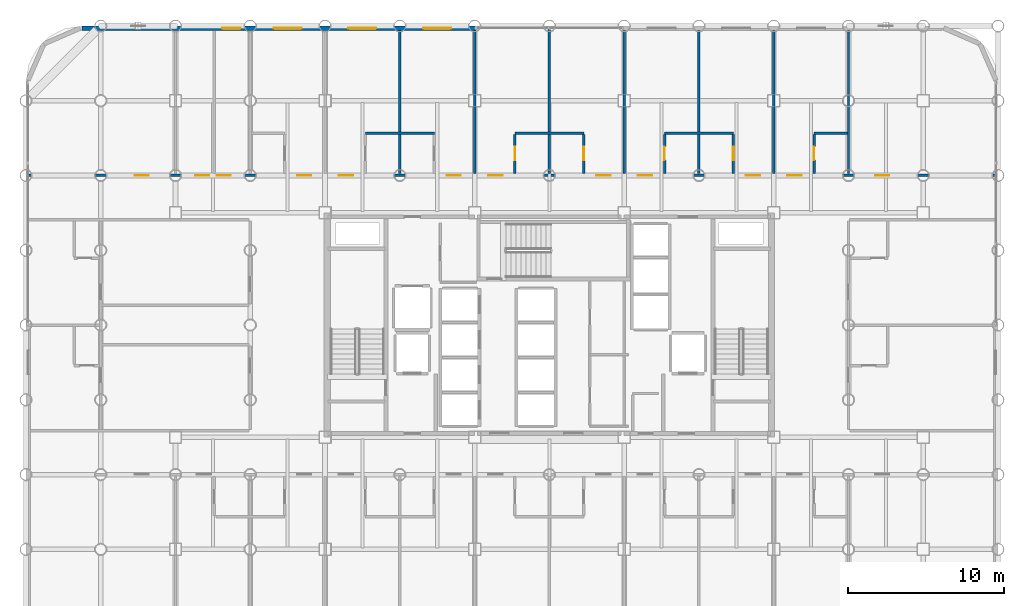
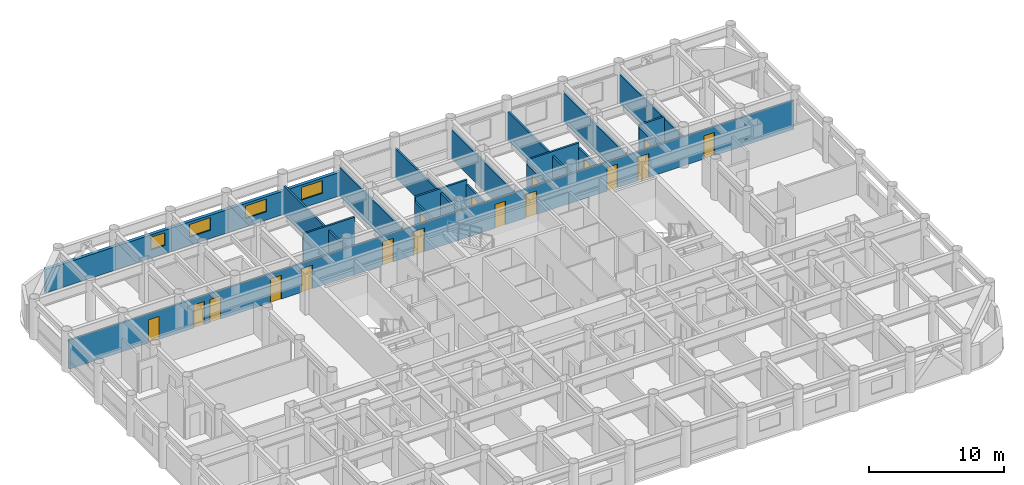
# One storey, part 20 of 22: 18 walls, 17 doors, 4 windows, 21 openings.
"""IFC4 building model written with IfcOpenShell, lengths in metres."""

import ifcopenshell
import ifcopenshell.guid

model = None  # the IFC model being written
_history = None  # IfcOwnerHistory: only IFC2X3 demands one
_inside = {}  # id of a spatial element -> (the spatial element, [elements in it])
_under = {}  # id of a project, library or spatial element -> (it, [spatial elements below it])
_declared = {}  # id of a project -> (the project, [libraries it declares])
_typed = {}  # id of a type object -> (the type object, [elements of that type])
_made_of = {}  # id of a material, layer set ... -> (it, [elements and type objects made of it])


def new_model(schema):
    """Start an empty IFC model of exactly this schema.

    Asked for "IFC4X3", IfcOpenShell would pick the latest addendum, in which some entities
    have other attributes; the version numbers below select the first issue.
    IFC2X3 requires an IfcOwnerHistory on every rooted entity: one is made here for all.
    """
    global model, _history
    if schema == "IFC4X3":
        model = ifcopenshell.file(schema_version=(4, 3, 0, 0))
    else:
        model = ifcopenshell.file(schema=schema)
    _inside.clear()
    _under.clear()
    _declared.clear()
    _typed.clear()
    _made_of.clear()
    _history = None
    if model.schema == "IFC2X3":
        org = make("IfcOrganization", Name="unknown")
        user = make(
            "IfcPersonAndOrganization",
            ThePerson=make("IfcPerson", FamilyName="unknown"),
            TheOrganization=org,
        )
        app = make(
            "IfcApplication",
            ApplicationDeveloper=org,
            Version="unknown",
            ApplicationFullName="unknown",
            ApplicationIdentifier="unknown",
        )
        _history = make(
            "IfcOwnerHistory",
            OwningUser=user,
            OwningApplication=app,
            ChangeAction="ADDED",
            CreationDate=0,
        )
    return model


def make(cls, **values):
    """One entity of the class cls with the attributes given. An attribute that is None is left unset."""
    return model.create_entity(
        cls, **{name: value for name, value in values.items() if value is not None}
    )


def rooted(cls, **values):
    """An entity with a GlobalId (a new one), such as an element, a storey or a relation."""
    return make(cls, GlobalId=ifcopenshell.guid.new(), OwnerHistory=_history, **values)


def si_unit(unit_type, name, prefix=None):
    """IfcSIUnit, for example si_unit("LENGTHUNIT", "METRE", prefix="MILLI")."""
    return make("IfcSIUnit", UnitType=unit_type, Prefix=prefix, Name=name)


def assignment(units):
    """IfcUnitAssignment: the units of a project."""
    return None if units is None else make("IfcUnitAssignment", Units=units)


def point(xyz):
    """IfcCartesianPoint."""
    return None if xyz is None else make("IfcCartesianPoint", Coordinates=xyz)


def direction(xyz):
    """IfcDirection."""
    return None if xyz is None else make("IfcDirection", DirectionRatios=xyz)


def frame(location, z_axis=None, x_axis=None):
    """IfcAxis2Placement3D, a coordinate frame: its origin and axes. An axis left out is left unset."""
    return make(
        "IfcAxis2Placement3D",
        Location=point(location),
        Axis=direction(z_axis),
        RefDirection=direction(x_axis),
    )


def frame_2d(location, x_axis=None):
    """IfcAxis2Placement2D, a coordinate frame in the plane: its origin and x axis."""
    return make(
        "IfcAxis2Placement2D", Location=point(location), RefDirection=direction(x_axis)
    )


def origin():
    """The frame at (0, 0, 0) with its axes left unset."""
    return frame((0.0, 0.0, 0.0))


def place(relative_to, where):
    """IfcLocalPlacement: puts the frame where relative to a parent placement (None: the world)."""
    return make(
        "IfcLocalPlacement", PlacementRelTo=relative_to, RelativePlacement=where
    )


def context(
    kind, dimensions, precision=None, world=None, true_north=None, identifier=None
):
    """IfcGeometricRepresentationContext, for example the 3D "Model" context."""
    return make(
        "IfcGeometricRepresentationContext",
        ContextIdentifier=identifier,
        ContextType=kind,
        CoordinateSpaceDimension=dimensions,
        Precision=precision,
        WorldCoordinateSystem=world,
        TrueNorth=true_north,
    )


def subcontext(parent, identifier, kind, view, scale=None):
    """IfcGeometricRepresentationSubContext, for example "Body" below "Model"."""
    return make(
        "IfcGeometricRepresentationSubContext",
        ContextIdentifier=identifier,
        ContextType=kind,
        ParentContext=parent,
        TargetScale=scale,
        TargetView=view,
    )


def project(units=None, contexts=None):
    """IfcProject with its units and contexts."""
    return rooted(
        "IfcProject",
        Name="project",
        RepresentationContexts=contexts,
        UnitsInContext=assignment(units),
    )


def spatial(cls, under=None, at=None, **own):
    """A site, building, storey or space (cls), placed at a placement, below another one or the project."""
    s = rooted(cls, ObjectPlacement=at, **own)
    if under is not None:
        _under.setdefault(under.id(), (under, []))[1].append(s)
    return s


def profile(cls, at=None, kind="AREA", **sizes):
    """A parametric profile (cls). Its sizes go by their IFC names, for example OverallWidth=200.0."""
    return make(cls, ProfileType=kind, Position=at, **sizes)


def rectangle(**sizes):
    """IfcRectangleProfileDef."""
    return profile("IfcRectangleProfileDef", **sizes)


def extrude(swept, where, along, depth):
    """IfcExtrudedAreaSolid: the profile swept, set in the frame where, extruded along a direction by depth."""
    return make(
        "IfcExtrudedAreaSolid",
        SweptArea=swept,
        Position=where,
        ExtrudedDirection=direction(along),
        Depth=depth,
    )


def shape(context_of_items, identifier, shape_type, items):
    """IfcShapeRepresentation: the items that make up one representation, for example the "Body"."""
    return make(
        "IfcShapeRepresentation",
        ContextOfItems=context_of_items,
        RepresentationIdentifier=identifier,
        RepresentationType=shape_type,
        Items=items,
    )


def material(Name=None, Category=None):
    """IfcMaterial."""
    return make("IfcMaterial", Name=Name, Category=Category)


def layer(
    of_material, thickness, ventilated=None, Name=None, Category=None, Priority=None
):
    """IfcMaterialLayer: one layer of a wall or slab, of a material (None: an air gap)."""
    return make(
        "IfcMaterialLayer",
        Material=of_material,
        LayerThickness=thickness,
        IsVentilated=ventilated,
        Name=Name,
        Category=Category,
        Priority=Priority,
    )


def layer_set(layers, Name=None):
    """IfcMaterialLayerSet."""
    return make("IfcMaterialLayerSet", MaterialLayers=layers, LayerSetName=Name)


def made_of(thing, what):
    """Note that an element or type object is made of a material, layer set ...; save() writes the relation."""
    if what is not None:
        _made_of.setdefault(what.id(), (what, []))[1].append(thing)
    return thing


def type_object(cls, material=None, **own):
    """A type object (cls), such as IfcWallType, which elements share."""
    return made_of(rooted(cls, **own), material)


def element(
    cls,
    number,
    at=None,
    inside=None,
    cuts=None,
    type_object=None,
    material=None,
    context=None,
    identifier="Body",
    shape_type=None,
    held_by="IfcProductDefinitionShape",
    body=None,
    shapes=None,
    **own,
):
    """One element of the class cls, such as IfcWall. Its Tag is "e" and its number.

    at: its placement. inside: the storey or other place that contains it. cuts: it is an
    opening in that element (IfcRelVoidsElement). A single representation is given by context,
    identifier, shape_type and body (its items); several are given by shapes. held_by: the class
    of the entity that holds the representations. save() writes the other relations.
    """
    e = rooted(cls, Tag="e%d" % number, ObjectPlacement=at, **own)
    if body is not None:
        shapes = [shape(context, identifier, shape_type, body)]
    if shapes is not None:
        e.Representation = make(held_by, Representations=shapes)
    if inside is not None:
        _inside.setdefault(inside.id(), (inside, []))[1].append(e)
    if cuts is not None:
        rooted(
            "IfcRelVoidsElement", RelatingBuildingElement=cuts, RelatedOpeningElement=e
        )
    if type_object is not None:
        _typed.setdefault(type_object.id(), (type_object, []))[1].append(e)
    return made_of(e, material)


def fill(opening, filler):
    """IfcRelFillsElement: the door or window that sits in an opening."""
    return rooted(
        "IfcRelFillsElement",
        RelatingOpeningElement=opening,
        RelatedBuildingElement=filler,
    )


def aggregate(whole, parts):
    """IfcRelAggregates: a whole, such as a stair, and the parts it consists of."""
    return rooted("IfcRelAggregates", RelatingObject=whole, RelatedObjects=parts)


def save(model, path):
    """Write the relations noted so far, then the file.

    IfcRelAggregates (storeys below a building ...), IfcRelContainedInSpatialStructure (elements
    in a storey), IfcRelDefinesByType, IfcRelAssociatesMaterial and IfcRelDeclares: one each for
    every whole, place, type object, material and project.
    """
    for whole, parts in _under.values():
        aggregate(whole, parts)
    for where, things in _inside.values():
        rooted(
            "IfcRelContainedInSpatialStructure",
            RelatedElements=things,
            RelatingStructure=where,
        )
    for kind, things in _typed.values():
        rooted("IfcRelDefinesByType", RelatedObjects=things, RelatingType=kind)
    for what, things in _made_of.values():
        rooted("IfcRelAssociatesMaterial", RelatedObjects=things, RelatingMaterial=what)
    for by, libraries in _declared.values():
        rooted("IfcRelDeclares", RelatingContext=by, RelatedDefinitions=libraries)
    model.write(path)


model = new_model("IFC4")

# Units and contexts
model_context = context("Model", 3, precision=1e-05, world=origin(), true_north=direction((0.0, 1.0)))
body_context = subcontext(model_context, "Body", "Model", "MODEL_VIEW")
ifc_project = project(units=[si_unit("LENGTHUNIT", "METRE"), si_unit("AREAUNIT", "SQUARE_METRE"), si_unit("VOLUMEUNIT", "CUBIC_METRE"), si_unit("PLANEANGLEUNIT", "RADIAN"), si_unit("MASSUNIT", "GRAM", prefix="KILO")], contexts=[model_context])

# Site, building, storey
site_placement = place(None, origin())
site = spatial("IfcSite", under=ifc_project, at=site_placement, CompositionType="ELEMENT")
building_placement = place(site_placement, origin())
building = spatial("IfcBuilding", under=site, at=building_placement, Name="Kallvorn Hotel Tower", CompositionType="ELEMENT")
storey_placement = place(building_placement, frame((0.0, 0.0, 37.39990234375)))
storey = spatial("IfcBuildingStorey", under=building, at=storey_placement, Name="L07", CompositionType="ELEMENT", Elevation=37.39990234375)

# Wall, openings, doors
ifc_material_1 = material(Name="Fire-rated double-layer acoustic gypsum drywall EI 60")
ifc_layer_1 = layer(ifc_material_1, 0.159912109375)
ifc_layer_set_1 = layer_set([ifc_layer_1], Name="WL_DEMISE_160")
wall_type_1 = type_object("IfcWallType", Name="WL_DEMISE_160", PredefinedType="PARTITIONING", material=ifc_layer_set_1)
wall_1_placement = place(storey_placement, frame((-33.429931640625, 9.60009765625, 0.0), z_axis=(0.0, 0.0, 1.0), x_axis=(1.0, 0.0, 0.0)))
wall_1 = element("IfcWall", 1, at=wall_1_placement, inside=storey, type_object=wall_type_1, Name="L07 Suite 714 Standard Twin Room Partition", PredefinedType="PARTITIONING", context=body_context, shape_type="SweptSolid", body=[
    extrude(rectangle(XDim=62.059814453125, YDim=0.159912109375, at=frame_2d((31.02978515625, 0.0))), origin(), (0.0, 0.0, 1.0), 2.6201171875),
])
opening_1_placement = place(wall_1_placement, frame((6.799560546875, 0.0, 0.0)))
opening_1 = element("IfcOpeningElement", 2, at=opening_1_placement, cuts=wall_1, Name="Opening SVD1", PredefinedType="OPENING", context=body_context, shape_type="SweptSolid", body=[
    extrude(rectangle(XDim=0.89990234375, YDim=2.10009765625, at=frame_2d((0.449951171875, 1.050048828125))), frame((0.0, 0.094970703125, 0.0), z_axis=(0.0, -1.0, 0.0), x_axis=(1.0, 0.0, 0.0)), (0.0, 0.0, 1.0), 0.18994140625),
])
opening_2_placement = place(wall_1_placement, frame((54.360595703125, 0.0, 0.0)))
opening_2 = element("IfcOpeningElement", 3, at=opening_2_placement, cuts=wall_1, Name="Opening SVD1", PredefinedType="OPENING", context=body_context, shape_type="SweptSolid", body=[
    extrude(rectangle(XDim=0.89990234375, YDim=2.10009765625, at=frame_2d((0.449951171875, 1.050048828125))), frame((0.0, 0.094970703125, 0.0), z_axis=(0.0, -1.0, 0.0), x_axis=(1.0, 0.0, 0.0)), (0.0, 0.0, 1.0), 0.18994140625),
])
opening_3_placement = place(wall_1_placement, frame((10.68994140625, 0.0, 0.0)))
opening_3 = element("IfcOpeningElement", 4, at=opening_3_placement, cuts=wall_1, Name="Opening SVD1", PredefinedType="OPENING", context=body_context, shape_type="SweptSolid", body=[
    extrude(rectangle(XDim=0.89990234375, YDim=2.10009765625, at=frame_2d((0.449951171875, 1.050048828125))), frame((0.0, 0.094970703125, 0.0), z_axis=(0.0, -1.0, 0.0), x_axis=(1.0, 0.0, 0.0)), (0.0, 0.0, 1.0), 0.18994140625),
])
opening_4_placement = place(wall_1_placement, frame((12.070068359375, 0.0, 0.0)))
opening_4 = element("IfcOpeningElement", 5, at=opening_4_placement, cuts=wall_1, Name="Opening SVD1", PredefinedType="OPENING", context=body_context, shape_type="SweptSolid", body=[
    extrude(rectangle(XDim=0.89990234375, YDim=2.10009765625, at=frame_2d((0.449951171875, 1.050048828125))), frame((0.0, 0.094970703125, 0.0), z_axis=(0.0, -1.0, 0.0), x_axis=(1.0, 0.0, 0.0)), (0.0, 0.0, 1.0), 0.18994140625),
])
opening_5_placement = place(wall_1_placement, frame((17.235107421875, 0.0, 0.0)))
opening_5 = element("IfcOpeningElement", 6, at=opening_5_placement, cuts=wall_1, Name="Opening GD1", PredefinedType="OPENING", context=body_context, shape_type="SweptSolid", body=[
    extrude(rectangle(XDim=0.919921875, YDim=2.14990234375, at=frame_2d((0.4599609375, 1.074951171875))), frame((0.0, 0.094970703125, 0.0), z_axis=(0.0, -1.0, 0.0), x_axis=(1.0, 0.0, 0.0)), (0.0, 0.0, 1.0), 0.18994140625),
])
opening_6_placement = place(wall_1_placement, frame((19.905029296875, 0.0, 0.0)))
opening_6 = element("IfcOpeningElement", 7, at=opening_6_placement, cuts=wall_1, Name="Opening GD1", PredefinedType="OPENING", context=body_context, shape_type="SweptSolid", body=[
    extrude(rectangle(XDim=0.919921875, YDim=2.14990234375, at=frame_2d((0.4599609375, 1.074951171875))), frame((0.0, 0.094970703125, 0.0), z_axis=(0.0, -1.0, 0.0), x_axis=(1.0, 0.0, 0.0)), (0.0, 0.0, 1.0), 0.18994140625),
])
opening_7_placement = place(wall_1_placement, frame((26.8349609375, 0.0, 0.0)))
opening_7 = element("IfcOpeningElement", 8, at=opening_7_placement, cuts=wall_1, Name="Opening GD1", PredefinedType="OPENING", context=body_context, shape_type="SweptSolid", body=[
    extrude(rectangle(XDim=0.919921875, YDim=2.14990234375, at=frame_2d((0.4599609375, 1.074951171875))), frame((0.0, 0.094970703125, 0.0), z_axis=(0.0, -1.0, 0.0), x_axis=(1.0, 0.0, 0.0)), (0.0, 0.0, 1.0), 0.18994140625),
])
opening_8_placement = place(wall_1_placement, frame((29.5048828125, 0.0, 0.0)))
opening_8 = element("IfcOpeningElement", 9, at=opening_8_placement, cuts=wall_1, Name="Opening GD1", PredefinedType="OPENING", context=body_context, shape_type="SweptSolid", body=[
    extrude(rectangle(XDim=0.919921875, YDim=2.14990234375, at=frame_2d((0.4599609375, 1.074951171875))), frame((0.0, 0.094970703125, 0.0), z_axis=(0.0, -1.0, 0.0), x_axis=(1.0, 0.0, 0.0)), (0.0, 0.0, 1.0), 0.18994140625),
])
opening_9_placement = place(wall_1_placement, frame((36.43505859375, 0.0, 0.0)))
opening_9 = element("IfcOpeningElement", 10, at=opening_9_placement, cuts=wall_1, Name="Opening GD1", PredefinedType="OPENING", context=body_context, shape_type="SweptSolid", body=[
    extrude(rectangle(XDim=0.919921875, YDim=2.14990234375, at=frame_2d((0.4599609375, 1.074951171875))), frame((0.0, 0.094970703125, 0.0), z_axis=(0.0, -1.0, 0.0), x_axis=(1.0, 0.0, 0.0)), (0.0, 0.0, 1.0), 0.18994140625),
])
opening_10_placement = place(wall_1_placement, frame((39.10498046875, 0.0, 0.0)))
opening_10 = element("IfcOpeningElement", 11, at=opening_10_placement, cuts=wall_1, Name="Opening GD1", PredefinedType="OPENING", context=body_context, shape_type="SweptSolid", body=[
    extrude(rectangle(XDim=0.919921875, YDim=2.14990234375, at=frame_2d((0.4599609375, 1.074951171875))), frame((0.0, 0.094970703125, 0.0), z_axis=(0.0, -1.0, 0.0), x_axis=(1.0, 0.0, 0.0)), (0.0, 0.0, 1.0), 0.18994140625),
])
opening_11_placement = place(wall_1_placement, frame((46.034912109375, 0.0, 0.0)))
opening_11 = element("IfcOpeningElement", 12, at=opening_11_placement, cuts=wall_1, Name="Opening GD1", PredefinedType="OPENING", context=body_context, shape_type="SweptSolid", body=[
    extrude(rectangle(XDim=0.919921875, YDim=2.14990234375, at=frame_2d((0.4599609375, 1.074951171875))), frame((0.0, 0.094970703125, 0.0), z_axis=(0.0, -1.0, 0.0), x_axis=(1.0, 0.0, 0.0)), (0.0, 0.0, 1.0), 0.18994140625),
])
opening_12_placement = place(wall_1_placement, frame((48.705078125, 0.0, 0.0)))
opening_12 = element("IfcOpeningElement", 13, at=opening_12_placement, cuts=wall_1, Name="Opening GD1", PredefinedType="OPENING", context=body_context, shape_type="SweptSolid", body=[
    extrude(rectangle(XDim=0.919921875, YDim=2.14990234375, at=frame_2d((0.4599609375, 1.074951171875))), frame((0.0, 0.094970703125, 0.0), z_axis=(0.0, -1.0, 0.0), x_axis=(1.0, 0.0, 0.0)), (0.0, 0.0, 1.0), 0.18994140625),
])
ifc_material_2 = material(Name="Solid-core walnut veneer fire-rated timber door leaf", Category="wood")
door_type_1 = type_object("IfcDoorType", Name="DR_GUEST_920x2150", OperationType="NOTDEFINED", PredefinedType="DOOR", material=ifc_material_2)
door_1_placement = place(opening_5_placement, origin())
door_1 = element("IfcDoor", 14, at=door_1_placement, inside=storey, type_object=door_type_1, Name="L07 Suite 714 Standard Twin Room Door", OperationType="SINGLE_SWING_RIGHT", OverallHeight=2.14990234375, OverallWidth=0.919921875, PredefinedType="DOOR", context=body_context, shape_type="SweptSolid", body=[
    extrude(rectangle(XDim=0.919921875, YDim=2.14990234375, at=frame_2d((0.4599609375, 1.074951171875))), frame((0.0, 0.02490234375, 0.0), z_axis=(0.0, -1.0, 0.0), x_axis=(1.0, 0.0, 0.0)), (0.0, 0.0, 1.0), 0.050048828125),
])
fill(opening_5, door_1)
door_2_placement = place(opening_6_placement, origin())
door_2 = element("IfcDoor", 15, at=door_2_placement, inside=storey, type_object=door_type_1, Name="L07 Suite 715 Standard Twin Room Door", OperationType="SINGLE_SWING_LEFT", OverallHeight=2.14990234375, OverallWidth=0.919921875, PredefinedType="DOOR", context=body_context, shape_type="SweptSolid", body=[
    extrude(rectangle(XDim=0.919921875, YDim=2.14990234375, at=frame_2d((0.4599609375, 1.074951171875))), frame((0.0, 0.02490234375, 0.0), z_axis=(0.0, -1.0, 0.0), x_axis=(1.0, 0.0, 0.0)), (0.0, 0.0, 1.0), 0.050048828125),
])
fill(opening_6, door_2)
door_3_placement = place(opening_7_placement, origin())
door_3 = element("IfcDoor", 16, at=door_3_placement, inside=storey, type_object=door_type_1, Name="L07 Suite 716 Standard Twin Room Door", OperationType="SINGLE_SWING_LEFT", OverallHeight=2.14990234375, OverallWidth=0.919921875, PredefinedType="DOOR", context=body_context, shape_type="SweptSolid", body=[
    extrude(rectangle(XDim=0.919921875, YDim=2.14990234375, at=frame_2d((0.4599609375, 1.074951171875))), frame((0.0, 0.02490234375, 0.0), z_axis=(0.0, -1.0, 0.0), x_axis=(1.0, 0.0, 0.0)), (0.0, 0.0, 1.0), 0.050048828125),
])
fill(opening_7, door_3)
door_4_placement = place(opening_8_placement, origin())
door_4 = element("IfcDoor", 17, at=door_4_placement, inside=storey, type_object=door_type_1, Name="L07 Suite 717 Standard Twin Room Door", OperationType="SINGLE_SWING_LEFT", OverallHeight=2.14990234375, OverallWidth=0.919921875, PredefinedType="DOOR", context=body_context, shape_type="SweptSolid", body=[
    extrude(rectangle(XDim=0.919921875, YDim=2.14990234375, at=frame_2d((0.4599609375, 1.074951171875))), frame((0.0, 0.02490234375, 0.0), z_axis=(0.0, -1.0, 0.0), x_axis=(1.0, 0.0, 0.0)), (0.0, 0.0, 1.0), 0.050048828125),
])
fill(opening_8, door_4)
door_5_placement = place(opening_9_placement, origin())
door_5 = element("IfcDoor", 18, at=door_5_placement, inside=storey, type_object=door_type_1, Name="L07 Suite 718 Standard Twin Room Door", OperationType="SINGLE_SWING_LEFT", OverallHeight=2.14990234375, OverallWidth=0.919921875, PredefinedType="DOOR", context=body_context, shape_type="SweptSolid", body=[
    extrude(rectangle(XDim=0.919921875, YDim=2.14990234375, at=frame_2d((0.4599609375, 1.074951171875))), frame((0.0, 0.02490234375, 0.0), z_axis=(0.0, -1.0, 0.0), x_axis=(1.0, 0.0, 0.0)), (0.0, 0.0, 1.0), 0.050048828125),
])
fill(opening_9, door_5)
door_6_placement = place(opening_10_placement, origin())
door_6 = element("IfcDoor", 19, at=door_6_placement, inside=storey, type_object=door_type_1, Name="L07 Suite 719 Standard Twin Room Door", OperationType="SINGLE_SWING_RIGHT", OverallHeight=2.14990234375, OverallWidth=0.919921875, PredefinedType="DOOR", context=body_context, shape_type="SweptSolid", body=[
    extrude(rectangle(XDim=0.919921875, YDim=2.14990234375, at=frame_2d((0.4599609375, 1.074951171875))), frame((0.0, 0.02490234375, 0.0), z_axis=(0.0, -1.0, 0.0), x_axis=(1.0, 0.0, 0.0)), (0.0, 0.0, 1.0), 0.050048828125),
])
fill(opening_10, door_6)
door_7_placement = place(opening_11_placement, origin())
door_7 = element("IfcDoor", 20, at=door_7_placement, inside=storey, type_object=door_type_1, Name="L07 Suite 720 Standard Twin Room Door", OperationType="SINGLE_SWING_RIGHT", OverallHeight=2.14990234375, OverallWidth=0.919921875, PredefinedType="DOOR", context=body_context, shape_type="SweptSolid", body=[
    extrude(rectangle(XDim=0.919921875, YDim=2.14990234375, at=frame_2d((0.4599609375, 1.074951171875))), frame((0.0, 0.02490234375, 0.0), z_axis=(0.0, -1.0, 0.0), x_axis=(1.0, 0.0, 0.0)), (0.0, 0.0, 1.0), 0.050048828125),
])
fill(opening_11, door_7)
door_8_placement = place(opening_12_placement, origin())
door_8 = element("IfcDoor", 21, at=door_8_placement, inside=storey, type_object=door_type_1, Name="L07 Suite 721 Standard Twin Room Door", OperationType="SINGLE_SWING_RIGHT", OverallHeight=2.14990234375, OverallWidth=0.919921875, PredefinedType="DOOR", context=body_context, shape_type="SweptSolid", body=[
    extrude(rectangle(XDim=0.919921875, YDim=2.14990234375, at=frame_2d((0.4599609375, 1.074951171875))), frame((0.0, 0.02490234375, 0.0), z_axis=(0.0, -1.0, 0.0), x_axis=(1.0, 0.0, 0.0)), (0.0, 0.0, 1.0), 0.050048828125),
])
fill(opening_12, door_8)
ifc_material_3 = material(Name="Galvanised painted steel fire-rated door assembly", Category="steel")
door_type_2 = type_object("IfcDoorType", Name="DR_SERV_900x2100", OperationType="NOTDEFINED", PredefinedType="DOOR", material=ifc_material_3)
door_9_placement = place(opening_1_placement, origin())
door_9 = element("IfcDoor", 22, at=door_9_placement, inside=storey, type_object=door_type_2, Name="L07 L07 North-West Fitness Gymnasium Door", OperationType="SINGLE_SWING_RIGHT", OverallHeight=2.10009765625, OverallWidth=0.89990234375, PredefinedType="DOOR", context=body_context, shape_type="SweptSolid", body=[
    extrude(rectangle(XDim=0.89990234375, YDim=2.10009765625, at=frame_2d((0.449951171875, 1.050048828125))), frame((0.0, 0.02490234375, 0.0), z_axis=(0.0, -1.0, 0.0), x_axis=(1.0, 0.0, 0.0)), (0.0, 0.0, 1.0), 0.050048828125),
])
fill(opening_1, door_9)
door_10_placement = place(opening_2_placement, origin())
door_10 = element("IfcDoor", 23, at=door_10_placement, inside=storey, type_object=door_type_2, Name="L07 L07 North-East Reading Club Door", OperationType="SINGLE_SWING_LEFT", OverallHeight=2.10009765625, OverallWidth=0.89990234375, PredefinedType="DOOR", context=body_context, shape_type="SweptSolid", body=[
    extrude(rectangle(XDim=0.89990234375, YDim=2.10009765625, at=frame_2d((0.449951171875, 1.050048828125))), frame((0.0, 0.02490234375, 0.0), z_axis=(0.0, -1.0, 0.0), x_axis=(1.0, 0.0, 0.0)), (0.0, 0.0, 1.0), 0.050048828125),
])
fill(opening_2, door_10)
door_11_placement = place(opening_3_placement, origin())
door_11 = element("IfcDoor", 24, at=door_11_placement, inside=storey, type_object=door_type_2, Name="L07 Housekeeping and Linen Room Door", OperationType="SINGLE_SWING_LEFT", OverallHeight=2.10009765625, OverallWidth=0.89990234375, PredefinedType="DOOR", context=body_context, shape_type="SweptSolid", body=[
    extrude(rectangle(XDim=0.89990234375, YDim=2.10009765625, at=frame_2d((0.449951171875, 1.050048828125))), frame((0.0, 0.02490234375, 0.0), z_axis=(0.0, -1.0, 0.0), x_axis=(1.0, 0.0, 0.0)), (0.0, 0.0, 1.0), 0.050048828125),
])
fill(opening_3, door_11)
door_12_placement = place(opening_4_placement, origin())
door_12 = element("IfcDoor", 25, at=door_12_placement, inside=storey, type_object=door_type_2, Name="L07 Guest Tea and Refreshment Bar Door", OperationType="SINGLE_SWING_LEFT", OverallHeight=2.10009765625, OverallWidth=0.89990234375, PredefinedType="DOOR", context=body_context, shape_type="SweptSolid", body=[
    extrude(rectangle(XDim=0.89990234375, YDim=2.10009765625, at=frame_2d((0.449951171875, 1.050048828125))), frame((0.0, 0.02490234375, 0.0), z_axis=(0.0, -1.0, 0.0), x_axis=(1.0, 0.0, 0.0)), (0.0, 0.0, 1.0), 0.050048828125),
])
fill(opening_4, door_12)

# Walls
wall_2_placement = place(storey_placement, frame((-11.81005859375, 12.320068359375, 0.0), z_axis=(0.0, 0.0, 1.0), x_axis=(1.0, 0.0, 0.0)))
element("IfcWall", 26, at=wall_2_placement, inside=storey, type_object=wall_type_1, Name="L07 Suite 715 Standard Twin Room Partition", PredefinedType="PARTITIONING", context=body_context, shape_type="SweptSolid", body=[
    extrude(rectangle(XDim=4.420166015625, YDim=0.159912109375, at=frame_2d((2.2099609375, 0.0))), origin(), (0.0, 0.0, 1.0), 3.02001953125),
])
wall_3_placement = place(storey_placement, frame((-2.2099609375, 12.320068359375, 0.0), z_axis=(0.0, 0.0, 1.0), x_axis=(1.0, 0.0, 0.0)))
element("IfcWall", 27, at=wall_3_placement, inside=storey, type_object=wall_type_1, Name="L07 Suite 717 Standard Twin Room Partition", PredefinedType="PARTITIONING", context=body_context, shape_type="SweptSolid", body=[
    extrude(rectangle(XDim=4.419921875, YDim=0.159912109375, at=frame_2d((2.2099609375, 0.0))), origin(), (0.0, 0.0, 1.0), 3.02001953125),
])
wall_4_placement = place(storey_placement, frame((7.389892578125, 12.320068359375, 0.0), z_axis=(0.0, 0.0, 1.0), x_axis=(1.0, 0.0, 0.0)))
element("IfcWall", 28, at=wall_4_placement, inside=storey, type_object=wall_type_1, Name="L07 Suite 719 Standard Twin Room Partition", PredefinedType="PARTITIONING", context=body_context, shape_type="SweptSolid", body=[
    extrude(rectangle(XDim=4.420166015625, YDim=0.159912109375, at=frame_2d((2.2099609375, 0.0))), origin(), (0.0, 0.0, 1.0), 3.02001953125),
])
wall_5_placement = place(storey_placement, frame((16.989990234375, 12.320068359375, 0.0), z_axis=(0.0, 0.0, 1.0), x_axis=(1.0, 0.0, 0.0)))
element("IfcWall", 29, at=wall_5_placement, inside=storey, type_object=wall_type_1, Name="L07 Suite 721 Standard Twin Room Partition", PredefinedType="PARTITIONING", context=body_context, shape_type="SweptSolid", body=[
    extrude(rectangle(XDim=2.130126953125, YDim=0.159912109375, at=frame_2d((1.06494140625, 0.0))), origin(), (0.0, 0.0, 1.0), 2.820068359375),
])
for number, where, z_axis, x_axis, name in (
    (30, (-9.60009765625, 9.719970703125, 0.0), (0.0, 0.0, 1.0), (0.0, 1.0, 0.0), "L07 Suite 715 Standard Twin Room Partition"),
    (31, (-4.800048828125, 9.719970703125, 0.0), (0.0, 0.0, 1.0), (0.0, 1.0, 0.0), "L07 Suite 716 Standard Twin Room Partition"),
):
    element("IfcWall", number, at=place(storey_placement, frame(where, z_axis=z_axis, x_axis=x_axis)), inside=storey, type_object=wall_type_1, Name=name, PredefinedType="PARTITIONING", context=body_context, shape_type="SweptSolid", body=[
        extrude(rectangle(XDim=9.18994140625, YDim=0.159912109375, at=frame_2d((4.594970703125, 0.0))), origin(), (0.0, 0.0, 1.0), 2.6201171875),
    ])

# Wall, opening, door
wall_6_placement = place(storey_placement, frame((-2.2099609375, 9.719970703125, 0.0), z_axis=(0.0, 0.0, 1.0), x_axis=(0.0, 1.0, 0.0)))
wall_6 = element("IfcWall", 32, at=wall_6_placement, inside=storey, type_object=wall_type_1, Name="L07 Suite 717 Standard Twin Room Partition", PredefinedType="PARTITIONING", context=body_context, shape_type="SweptSolid", body=[
    extrude(rectangle(XDim=2.51513671875, YDim=0.159912109375, at=frame_2d((1.257568359375, 0.0))), origin(), (0.0, 0.0, 1.0), 2.6201171875),
])
opening_13_placement = place(wall_6_placement, frame((0.8701171875, 0.0, 0.0)))
opening_13 = element("IfcOpeningElement", 33, at=opening_13_placement, cuts=wall_6, Name="Opening BD-I", PredefinedType="OPENING", context=body_context, shape_type="SweptSolid", body=[
    extrude(rectangle(XDim=0.860107421875, YDim=2.10009765625, at=frame_2d((0.43017578125, 1.050048828125))), frame((0.0, 0.094970703125, 0.0), z_axis=(0.0, -1.0, 0.0), x_axis=(1.0, 0.0, 0.0)), (0.0, 0.0, 1.0), 0.18994140625),
])
ifc_material_4 = material(Name="Solid-core walnut veneer fire-rated timber door leaf", Category="wood")
door_type_3 = type_object("IfcDoorType", Name="DR_BATH_860x2100", OperationType="NOTDEFINED", PredefinedType="DOOR", material=ifc_material_4)
door_13_placement = place(opening_13_placement, origin())
door_13 = element("IfcDoor", 34, at=door_13_placement, inside=storey, type_object=door_type_3, Name="L07 Suite 717 En-Suite Bathroom Door", OperationType="SINGLE_SWING_LEFT", OverallHeight=2.10009765625, OverallWidth=0.860107421875, PredefinedType="DOOR", context=body_context, shape_type="SweptSolid", body=[
    extrude(rectangle(XDim=0.860107421875, YDim=2.10009765625, at=frame_2d((0.43017578125, 1.050048828125))), frame((0.0, 0.02490234375, 0.0), z_axis=(0.0, -1.0, 0.0), x_axis=(1.0, 0.0, 0.0)), (0.0, 0.0, 1.0), 0.050048828125),
])
fill(opening_13, door_13)

# Wall
wall_7_placement = place(storey_placement, frame((0.0, 9.719970703125, 0.0), z_axis=(0.0, 0.0, 1.0), x_axis=(0.0, 1.0, 0.0)))
element("IfcWall", 35, at=wall_7_placement, inside=storey, type_object=wall_type_1, Name="L07 Suite 717 Standard Twin Room Partition", PredefinedType="PARTITIONING", context=body_context, shape_type="SweptSolid", body=[
    extrude(rectangle(XDim=9.275146484375, YDim=0.159912109375, at=frame_2d((4.6376953125, 0.0))), origin(), (0.0, 0.0, 1.0), 2.6201171875),
])

# Wall, opening, door
wall_8_placement = place(storey_placement, frame((2.2099609375, 9.719970703125, 0.0), z_axis=(0.0, 0.0, 1.0), x_axis=(0.0, 1.0, 0.0)))
wall_8 = element("IfcWall", 36, at=wall_8_placement, inside=storey, type_object=wall_type_1, Name="L07 Suite 718 Standard Twin Room Partition", PredefinedType="PARTITIONING", context=body_context, shape_type="SweptSolid", body=[
    extrude(rectangle(XDim=2.51513671875, YDim=0.159912109375, at=frame_2d((1.257568359375, 0.0))), origin(), (0.0, 0.0, 1.0), 2.6201171875),
])
opening_14_placement = place(wall_8_placement, frame((0.8701171875, 0.0, 0.0)))
opening_14 = element("IfcOpeningElement", 37, at=opening_14_placement, cuts=wall_8, Name="Opening BD-I", PredefinedType="OPENING", context=body_context, shape_type="SweptSolid", body=[
    extrude(rectangle(XDim=0.860107421875, YDim=2.10009765625, at=frame_2d((0.43017578125, 1.050048828125))), frame((0.0, 0.094970703125, 0.0), z_axis=(0.0, -1.0, 0.0), x_axis=(1.0, 0.0, 0.0)), (0.0, 0.0, 1.0), 0.18994140625),
])
door_14_placement = place(opening_14_placement, origin())
door_14 = element("IfcDoor", 38, at=door_14_placement, inside=storey, type_object=door_type_3, Name="L07 Suite 718 En-Suite Bathroom Door", OperationType="SINGLE_SWING_LEFT", OverallHeight=2.10009765625, OverallWidth=0.860107421875, PredefinedType="DOOR", context=body_context, shape_type="SweptSolid", body=[
    extrude(rectangle(XDim=0.860107421875, YDim=2.10009765625, at=frame_2d((0.43017578125, 1.050048828125))), frame((0.0, 0.02490234375, 0.0), z_axis=(0.0, -1.0, 0.0), x_axis=(1.0, 0.0, 0.0)), (0.0, 0.0, 1.0), 0.050048828125),
])
fill(opening_14, door_14)

# Wall
wall_9_placement = place(storey_placement, frame((4.800048828125, 9.719970703125, 0.0), z_axis=(0.0, 0.0, 1.0), x_axis=(0.0, 1.0, 0.0)))
element("IfcWall", 39, at=wall_9_placement, inside=storey, type_object=wall_type_1, Name="L07 Suite 718 Standard Twin Room Partition", PredefinedType="PARTITIONING", context=body_context, shape_type="SweptSolid", body=[
    extrude(rectangle(XDim=9.18994140625, YDim=0.159912109375, at=frame_2d((4.594970703125, 0.0))), origin(), (0.0, 0.0, 1.0), 2.6201171875),
])

# Wall, opening, door
wall_10_placement = place(storey_placement, frame((7.389892578125, 9.719970703125, 0.0), z_axis=(0.0, 0.0, 1.0), x_axis=(0.0, 1.0, 0.0)))
wall_10 = element("IfcWall", 40, at=wall_10_placement, inside=storey, type_object=wall_type_1, Name="L07 Suite 719 Standard Twin Room Partition", PredefinedType="PARTITIONING", context=body_context, shape_type="SweptSolid", body=[
    extrude(rectangle(XDim=2.51513671875, YDim=0.159912109375, at=frame_2d((1.257568359375, 0.0))), origin(), (0.0, 0.0, 1.0), 2.6201171875),
])
opening_15_placement = place(wall_10_placement, frame((0.8701171875, 0.0, 0.0)))
opening_15 = element("IfcOpeningElement", 41, at=opening_15_placement, cuts=wall_10, Name="Opening BD-I", PredefinedType="OPENING", context=body_context, shape_type="SweptSolid", body=[
    extrude(rectangle(XDim=0.860107421875, YDim=2.10009765625, at=frame_2d((0.43017578125, 1.050048828125))), frame((0.0, 0.094970703125, 0.0), z_axis=(0.0, -1.0, 0.0), x_axis=(1.0, 0.0, 0.0)), (0.0, 0.0, 1.0), 0.18994140625),
])
door_15_placement = place(opening_15_placement, origin())
door_15 = element("IfcDoor", 42, at=door_15_placement, inside=storey, type_object=door_type_3, Name="L07 Suite 719 En-Suite Bathroom Door", OperationType="SINGLE_SWING_RIGHT", OverallHeight=2.10009765625, OverallWidth=0.860107421875, PredefinedType="DOOR", context=body_context, shape_type="SweptSolid", body=[
    extrude(rectangle(XDim=0.860107421875, YDim=2.10009765625, at=frame_2d((0.43017578125, 1.050048828125))), frame((0.0, 0.02490234375, 0.0), z_axis=(0.0, -1.0, 0.0), x_axis=(1.0, 0.0, 0.0)), (0.0, 0.0, 1.0), 0.050048828125),
])
fill(opening_15, door_15)

# Wall
wall_11_placement = place(storey_placement, frame((9.60009765625, 9.719970703125, 0.0), z_axis=(0.0, 0.0, 1.0), x_axis=(0.0, 1.0, 0.0)))
element("IfcWall", 43, at=wall_11_placement, inside=storey, type_object=wall_type_1, Name="L07 Suite 719 Standard Twin Room Partition", PredefinedType="PARTITIONING", context=body_context, shape_type="SweptSolid", body=[
    extrude(rectangle(XDim=9.18994140625, YDim=0.159912109375, at=frame_2d((4.594970703125, 0.0))), origin(), (0.0, 0.0, 1.0), 2.6201171875),
])

# Wall, opening, door
wall_12_placement = place(storey_placement, frame((11.81005859375, 9.719970703125, 0.0), z_axis=(0.0, 0.0, 1.0), x_axis=(0.0, 1.0, 0.0)))
wall_12 = element("IfcWall", 44, at=wall_12_placement, inside=storey, type_object=wall_type_1, Name="L07 Suite 720 Standard Twin Room Partition", PredefinedType="PARTITIONING", context=body_context, shape_type="SweptSolid", body=[
    extrude(rectangle(XDim=2.51513671875, YDim=0.159912109375, at=frame_2d((1.257568359375, 0.0))), origin(), (0.0, 0.0, 1.0), 2.6201171875),
])
opening_16_placement = place(wall_12_placement, frame((0.8701171875, 0.0, 0.0)))
opening_16 = element("IfcOpeningElement", 45, at=opening_16_placement, cuts=wall_12, Name="Opening BD-I", PredefinedType="OPENING", context=body_context, shape_type="SweptSolid", body=[
    extrude(rectangle(XDim=0.860107421875, YDim=2.10009765625, at=frame_2d((0.43017578125, 1.050048828125))), frame((0.0, 0.094970703125, 0.0), z_axis=(0.0, -1.0, 0.0), x_axis=(1.0, 0.0, 0.0)), (0.0, 0.0, 1.0), 0.18994140625),
])
door_16_placement = place(opening_16_placement, origin())
door_16 = element("IfcDoor", 46, at=door_16_placement, inside=storey, type_object=door_type_3, Name="L07 Suite 720 En-Suite Bathroom Door", OperationType="SINGLE_SWING_LEFT", OverallHeight=2.10009765625, OverallWidth=0.860107421875, PredefinedType="DOOR", context=body_context, shape_type="SweptSolid", body=[
    extrude(rectangle(XDim=0.860107421875, YDim=2.10009765625, at=frame_2d((0.43017578125, 1.050048828125))), frame((0.0, 0.02490234375, 0.0), z_axis=(0.0, -1.0, 0.0), x_axis=(1.0, 0.0, 0.0)), (0.0, 0.0, 1.0), 0.050048828125),
])
fill(opening_16, door_16)

# Wall
wall_13_placement = place(storey_placement, frame((14.39990234375, 9.719970703125, 0.0), z_axis=(0.0, 0.0, 1.0), x_axis=(0.0, 1.0, 0.0)))
element("IfcWall", 47, at=wall_13_placement, inside=storey, type_object=wall_type_1, Name="L07 Suite 720 Standard Twin Room Partition", PredefinedType="PARTITIONING", context=body_context, shape_type="SweptSolid", body=[
    extrude(rectangle(XDim=9.18994140625, YDim=0.159912109375, at=frame_2d((4.594970703125, 0.0))), origin(), (0.0, 0.0, 1.0), 2.6201171875),
])

# Wall, opening, door
wall_14_placement = place(storey_placement, frame((16.989990234375, 9.719970703125, 0.0), z_axis=(0.0, 0.0, 1.0), x_axis=(0.0, 1.0, 0.0)))
wall_14 = element("IfcWall", 48, at=wall_14_placement, inside=storey, type_object=wall_type_1, Name="L07 Suite 721 Standard Twin Room Partition", PredefinedType="PARTITIONING", context=body_context, shape_type="SweptSolid", body=[
    extrude(rectangle(XDim=2.51513671875, YDim=0.159912109375, at=frame_2d((1.257568359375, 0.0))), origin(), (0.0, 0.0, 1.0), 2.6201171875),
])
opening_17_placement = place(wall_14_placement, frame((0.8701171875, 0.0, 0.0)))
opening_17 = element("IfcOpeningElement", 49, at=opening_17_placement, cuts=wall_14, Name="Opening BD-I", PredefinedType="OPENING", context=body_context, shape_type="SweptSolid", body=[
    extrude(rectangle(XDim=0.860107421875, YDim=2.10009765625, at=frame_2d((0.43017578125, 1.050048828125))), frame((0.0, 0.094970703125, 0.0), z_axis=(0.0, -1.0, 0.0), x_axis=(1.0, 0.0, 0.0)), (0.0, 0.0, 1.0), 0.18994140625),
])
door_17_placement = place(opening_17_placement, origin())
door_17 = element("IfcDoor", 50, at=door_17_placement, inside=storey, type_object=door_type_3, Name="L07 Suite 721 En-Suite Bathroom Door", OperationType="SINGLE_SWING_LEFT", OverallHeight=2.10009765625, OverallWidth=0.860107421875, PredefinedType="DOOR", context=body_context, shape_type="SweptSolid", body=[
    extrude(rectangle(XDim=0.860107421875, YDim=2.10009765625, at=frame_2d((0.43017578125, 1.050048828125))), frame((0.0, 0.02490234375, 0.0), z_axis=(0.0, -1.0, 0.0), x_axis=(1.0, 0.0, 0.0)), (0.0, 0.0, 1.0), 0.050048828125),
])
fill(opening_17, door_17)

# Wall
wall_15_placement = place(storey_placement, frame((19.199951171875, 9.719970703125, 0.0), z_axis=(0.0, 0.0, 1.0), x_axis=(0.0, 1.0, 0.0)))
element("IfcWall", 51, at=wall_15_placement, inside=storey, type_object=wall_type_1, Name="L07 Suite 721 Standard Twin Room Partition", PredefinedType="PARTITIONING", context=body_context, shape_type="SweptSolid", body=[
    extrude(rectangle(XDim=9.18994140625, YDim=0.159912109375, at=frame_2d((4.594970703125, 0.0))), origin(), (0.0, 0.0, 1.0), 2.6201171875),
])

# Wall, openings, windows
ifc_material_5 = material(Name="Precast basalt-clad insulated concrete wall C40/50", Category="masonry")
ifc_layer_2 = layer(ifc_material_5, 0.280029296875)
ifc_layer_set_2 = layer_set([ifc_layer_2], Name="WL_EXT_LOGGIA_280")
wall_type_2 = type_object("IfcWallType", Name="WL_EXT_LOGGIA_280", PredefinedType="SOLIDWALL", material=ifc_layer_set_2)
wall_16_placement = place(storey_placement, frame((-30.0, 19.06005859375, 0.0), z_axis=(0.0, 0.0, 1.0), x_axis=(1.0, 0.0, 0.0)))
wall_16 = element("IfcWall", 52, at=wall_16_placement, inside=storey, type_object=wall_type_2, Name="L07 Exterior Envelope Wall EW-L07-NW", PredefinedType="SOLIDWALL", context=body_context, shape_type="SweptSolid", body=[
    extrude(rectangle(XDim=25.25, YDim=0.280029296875, at=frame_2d((12.625, 0.0))), origin(), (0.0, 0.0, 1.0), 2.1201171875),
])
opening_18_placement = place(wall_16_placement, frame((9.0, 0.0, 0.75)))
opening_18 = element("IfcOpeningElement", 53, at=opening_18_placement, cuts=wall_16, Name="Opening W06A", PredefinedType="OPENING", context=body_context, shape_type="SweptSolid", body=[
    extrude(rectangle(XDim=1.199951171875, YDim=1.14990234375, at=frame_2d((0.60009765625, 0.574951171875))), frame((0.0, 0.155029296875, 0.0), z_axis=(0.0, -1.0, 0.0), x_axis=(1.0, 0.0, 0.0)), (0.0, 0.0, 1.0), 0.31005859375),
])
opening_19_placement = place(wall_16_placement, frame((12.300048828125, 0.0, 0.75)))
opening_19 = element("IfcOpeningElement", 54, at=opening_19_placement, cuts=wall_16, Name="Opening W04A", PredefinedType="OPENING", context=body_context, shape_type="SweptSolid", body=[
    extrude(rectangle(XDim=1.800048828125, YDim=1.14990234375, at=frame_2d((0.89990234375, 0.574951171875))), frame((0.0, 0.155029296875, 0.0), z_axis=(0.0, -1.0, 0.0), x_axis=(1.0, 0.0, 0.0)), (0.0, 0.0, 1.0), 0.31005859375),
])
opening_20_placement = place(wall_16_placement, frame((17.10009765625, 0.0, 0.75)))
opening_20 = element("IfcOpeningElement", 55, at=opening_20_placement, cuts=wall_16, Name="Opening W04A", PredefinedType="OPENING", context=body_context, shape_type="SweptSolid", body=[
    extrude(rectangle(XDim=1.800048828125, YDim=1.14990234375, at=frame_2d((0.89990234375, 0.574951171875))), frame((0.0, 0.155029296875, 0.0), z_axis=(0.0, -1.0, 0.0), x_axis=(1.0, 0.0, 0.0)), (0.0, 0.0, 1.0), 0.31005859375),
])
opening_21_placement = place(wall_16_placement, frame((21.89990234375, 0.0, 0.75)))
opening_21 = element("IfcOpeningElement", 56, at=opening_21_placement, cuts=wall_16, Name="Opening W04A", PredefinedType="OPENING", context=body_context, shape_type="SweptSolid", body=[
    extrude(rectangle(XDim=1.800048828125, YDim=1.14990234375, at=frame_2d((0.89990234375, 0.574951171875))), frame((0.0, 0.155029296875, 0.0), z_axis=(0.0, -1.0, 0.0), x_axis=(1.0, 0.0, 0.0)), (0.0, 0.0, 1.0), 0.31005859375),
])
ifc_material_6 = material(Name="Triple-glazed low-e acoustic solar-control dark glass", Category="glass")
window_type_1 = type_object("IfcWindowType", Name="WN_HTL_1200x1150", PartitioningType="SINGLE_PANEL", PredefinedType="WINDOW", material=ifc_material_6)
window_1_placement = place(opening_18_placement, origin())
window_1 = element("IfcWindow", 57, at=window_1_placement, inside=storey, type_object=window_type_1, Name="L07 Guestroom Exterior Window 10", OverallHeight=1.14990234375, OverallWidth=1.199951171875, PartitioningType="SINGLE_PANEL", PredefinedType="WINDOW", context=body_context, shape_type="SweptSolid", body=[
    extrude(rectangle(XDim=1.199951171875, YDim=1.14990234375, at=frame_2d((0.60009765625, 0.574951171875))), frame((0.0, 0.030029296875, 0.0), z_axis=(0.0, -1.0, 0.0), x_axis=(1.0, 0.0, 0.0)), (0.0, 0.0, 1.0), 0.06005859375),
])
fill(opening_18, window_1)
ifc_material_7 = material(Name="Double-glazed low-e solar-control dark glass", Category="glass")
window_type_2 = type_object("IfcWindowType", Name="WN_HTL_1800x1150", PartitioningType="SINGLE_PANEL", PredefinedType="WINDOW", material=ifc_material_7)
window_2_placement = place(opening_19_placement, origin())
window_2 = element("IfcWindow", 58, at=window_2_placement, inside=storey, type_object=window_type_2, Name="L07 Guestroom Exterior Window 11", OverallHeight=1.14990234375, OverallWidth=1.800048828125, PartitioningType="SINGLE_PANEL", PredefinedType="WINDOW", context=body_context, shape_type="SweptSolid", body=[
    extrude(rectangle(XDim=1.800048828125, YDim=1.14990234375, at=frame_2d((0.89990234375, 0.574951171875))), frame((0.0, 0.030029296875, 0.0), z_axis=(0.0, -1.0, 0.0), x_axis=(1.0, 0.0, 0.0)), (0.0, 0.0, 1.0), 0.06005859375),
])
fill(opening_19, window_2)
window_3_placement = place(opening_20_placement, origin())
window_3 = element("IfcWindow", 59, at=window_3_placement, inside=storey, type_object=window_type_2, Name="L07 Guestroom Exterior Window 12", OverallHeight=1.14990234375, OverallWidth=1.800048828125, PartitioningType="SINGLE_PANEL", PredefinedType="WINDOW", context=body_context, shape_type="SweptSolid", body=[
    extrude(rectangle(XDim=1.800048828125, YDim=1.14990234375, at=frame_2d((0.89990234375, 0.574951171875))), frame((0.0, 0.030029296875, 0.0), z_axis=(0.0, -1.0, 0.0), x_axis=(1.0, 0.0, 0.0)), (0.0, 0.0, 1.0), 0.06005859375),
])
fill(opening_20, window_3)
window_4_placement = place(opening_21_placement, origin())
window_4 = element("IfcWindow", 60, at=window_4_placement, inside=storey, type_object=window_type_2, Name="L07 Guestroom Exterior Window 13", OverallHeight=1.14990234375, OverallWidth=1.800048828125, PartitioningType="SINGLE_PANEL", PredefinedType="WINDOW", context=body_context, shape_type="SweptSolid", body=[
    extrude(rectangle(XDim=1.800048828125, YDim=1.14990234375, at=frame_2d((0.89990234375, 0.574951171875))), frame((0.0, 0.030029296875, 0.0), z_axis=(0.0, -1.0, 0.0), x_axis=(1.0, 0.0, 0.0)), (0.0, 0.0, 1.0), 0.06005859375),
])
fill(opening_21, window_4)

save(model, "model.ifc")
